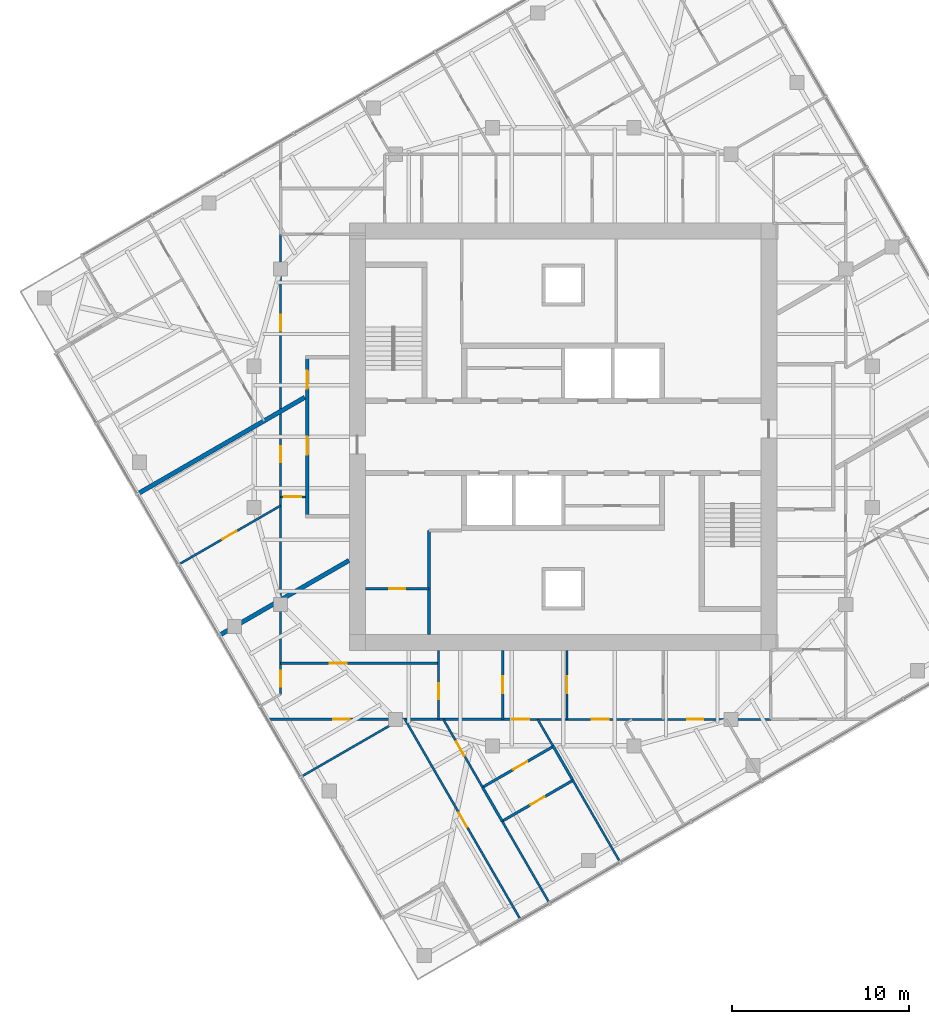
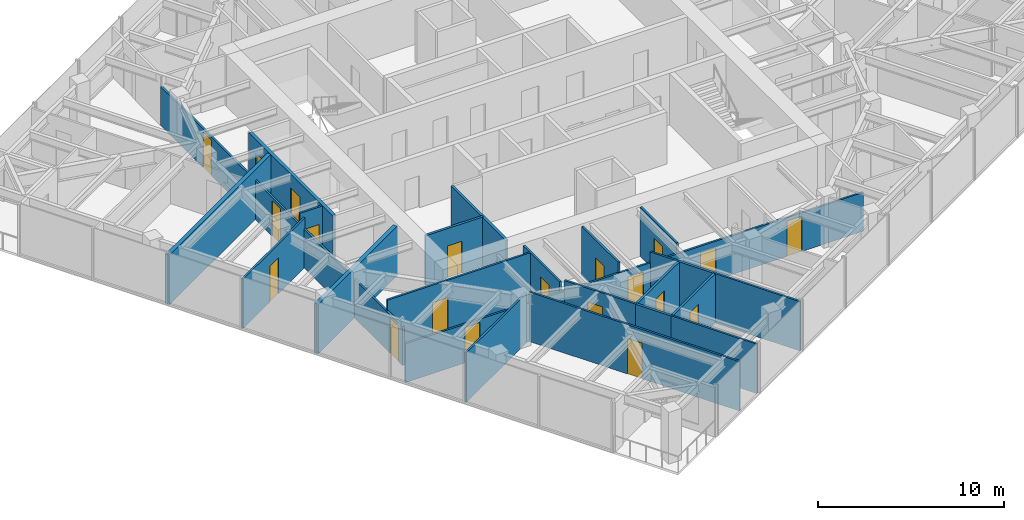
# One storey, part 7 of 12: 23 walls, 20 doors, 20 openings.
"""IFC4 building model written with IfcOpenShell, lengths in metres."""

from ifc_helpers import new_model, si_unit, direction, frame, frame_2d, origin, place, context, subcontext, project, spatial, rectangle, extrude, material, layer, layer_set, type_object, element, fill, save


model = new_model("IFC4")

# Units and contexts
model_context = context("Model", 3, precision=1e-05, world=origin(), true_north=direction((0.0, 1.0)))
body_context = subcontext(model_context, "Body", "Model", "MODEL_VIEW")
ifc_project = project(units=[si_unit("LENGTHUNIT", "METRE"), si_unit("AREAUNIT", "SQUARE_METRE"), si_unit("VOLUMEUNIT", "CUBIC_METRE"), si_unit("PLANEANGLEUNIT", "RADIAN"), si_unit("MASSUNIT", "GRAM", prefix="KILO")], contexts=[model_context])

# Site, building, storey
site_placement = place(None, origin())
site = spatial("IfcSite", under=ifc_project, at=site_placement, CompositionType="ELEMENT")
building_placement = place(site_placement, origin())
building = spatial("IfcBuilding", under=site, at=building_placement, Name="Torsade Residences", CompositionType="ELEMENT")
storey_placement = place(building_placement, frame((0.0, 0.0, 218.39990234375)))
storey = spatial("IfcBuildingStorey", under=building, at=storey_placement, Name="L60", CompositionType="ELEMENT", Elevation=218.39990234375)

# Wall, openings, doors
ifc_material_1 = material(Name="Plasterboard on steel stud", Category="steel")
ifc_layer_1 = layer(ifc_material_1, 0.199951171875)
ifc_layer_set_1 = layer_set([ifc_layer_1], Name="Plasterboard on steel stud")
wall_type_1 = type_object("IfcWallType", Name="CORRIDOR WALL 200", PredefinedType="PARTITIONING", material=ifc_layer_set_1)
wall_1_placement = place(storey_placement, frame((25.5, 25.5, 0.0), z_axis=(0.0, 0.0, 1.0), x_axis=(0.0, 1.0, 0.0)))
wall_1 = element("IfcWall", 1, at=wall_1_placement, inside=storey, type_object=wall_type_1, Name="Corridor wall L60", PredefinedType="PARTITIONING", context=body_context, shape_type="SweptSolid", body=[
    extrude(rectangle(XDim=9.0, YDim=0.199951171875, at=frame_2d((4.5, 0.0))), origin(), (0.0, 0.0, 1.0), 3.25),
])
opening_1_placement = place(wall_1_placement, frame((3.4921875, 0.0, 0.0)))
opening_1 = element("IfcOpeningElement", 2, at=opening_1_placement, cuts=wall_1, Name="Opening D01", PredefinedType="OPENING", context=body_context, shape_type="SweptSolid", body=[
    extrude(rectangle(XDim=1.02001953125, YDim=2.340087890625, at=frame_2d((0.510009765625, 1.169921875))), frame((0.0, 0.10986328125, 0.0), z_axis=(0.0, -1.0, 0.0), x_axis=(1.0, 0.0, 0.0)), (0.0, 0.0, 1.0), 0.219970703125),
])
opening_2_placement = place(wall_1_placement, frame((7.229248046875, 0.0, 0.0)))
opening_2 = element("IfcOpeningElement", 3, at=opening_2_placement, cuts=wall_1, Name="Opening D01", PredefinedType="OPENING", context=body_context, shape_type="SweptSolid", body=[
    extrude(rectangle(XDim=1.02001953125, YDim=2.340087890625, at=frame_2d((0.510009765625, 1.169921875))), frame((0.0, 0.10986328125, 0.0), z_axis=(0.0, -1.0, 0.0), x_axis=(1.0, 0.0, 0.0)), (0.0, 0.0, 1.0), 0.219970703125),
])
ifc_material_2 = material(Name="Solid-core timber fire door", Category="wood")
door_type_1 = type_object("IfcDoorType", Name="APARTMENT ENTRY DOOR 1020x2340", OperationType="NOTDEFINED", PredefinedType="DOOR", material=ifc_material_2)
door_1_placement = place(opening_1_placement, origin())
door_1 = element("IfcDoor", 4, at=door_1_placement, inside=storey, type_object=door_type_1, Name="Door Residential corridor to Kitchen and dining", OperationType="SINGLE_SWING_RIGHT", OverallHeight=2.340087890625, OverallWidth=1.02001953125, PredefinedType="DOOR", context=body_context, shape_type="SweptSolid", body=[
    extrude(rectangle(XDim=1.02001953125, YDim=2.340087890625, at=frame_2d((0.510009765625, 1.169921875))), frame((0.0, 0.02490234375, 0.0), z_axis=(0.0, -1.0, 0.0), x_axis=(1.0, 0.0, 0.0)), (0.0, 0.0, 1.0), 0.050048828125),
])
fill(opening_1, door_1)
door_2_placement = place(opening_2_placement, origin())
door_2 = element("IfcDoor", 5, at=door_2_placement, inside=storey, type_object=door_type_1, Name="Door Residential corridor to Kitchen and dining", OperationType="SINGLE_SWING_LEFT", OverallHeight=2.340087890625, OverallWidth=1.02001953125, PredefinedType="DOOR", context=body_context, shape_type="SweptSolid", body=[
    extrude(rectangle(XDim=1.02001953125, YDim=2.340087890625, at=frame_2d((0.510009765625, 1.169921875))), frame((0.0, 0.02490234375, 0.0), z_axis=(0.0, -1.0, 0.0), x_axis=(1.0, 0.0, 0.0)), (0.0, 0.0, 1.0), 0.050048828125),
])
fill(opening_2, door_2)

# Wall, opening, door
ifc_material_3 = material(Name="Plasterboard on steel stud", Category="steel")
ifc_layer_2 = layer(ifc_material_3, 0.1201171875)
ifc_layer_set_2 = layer_set([ifc_layer_2], Name="Plasterboard on steel stud")
wall_type_2 = type_object("IfcWallType", Name="PARTITION 120", PredefinedType="PARTITIONING", material=ifc_layer_set_2)
wall_2_placement = place(storey_placement, frame((25.39990234375, 26.598388671875, 0.0), z_axis=(0.0, 0.0, 1.0), x_axis=(-1.0, 0.0, 0.0)))
wall_2 = element("IfcWall", 6, at=wall_2_placement, inside=storey, type_object=wall_type_2, Name="Partition L60", PredefinedType="PARTITIONING", context=body_context, shape_type="SweptSolid", body=[
    extrude(rectangle(XDim=1.39990234375, YDim=0.1201171875, at=frame_2d((0.699951171875, 0.0))), origin(), (0.0, 0.0, 1.0), 3.25),
])
opening_3_placement = place(wall_2_placement, frame((0.219970703125, 0.0, 0.0)))
opening_3 = element("IfcOpeningElement", 7, at=opening_3_placement, cuts=wall_2, Name="Opening D05", PredefinedType="OPENING", context=body_context, shape_type="SweptSolid", body=[
    extrude(rectangle(XDim=0.9599609375, YDim=2.10009765625, at=frame_2d((0.47998046875, 1.050048828125))), frame((0.0, 0.070068359375, 0.0), z_axis=(0.0, -1.0, 0.0), x_axis=(1.0, 0.0, 0.0)), (0.0, 0.0, 1.0), 0.14013671875),
])
ifc_material_4 = material(Name="Hollow-core timber door in a steel cavity frame", Category="steel")
door_type_2 = type_object("IfcDoorType", Name="BATHROOM CAVITY SLIDING DOOR 960", OperationType="SLIDING_TO_LEFT", PredefinedType="DOOR", material=ifc_material_4)
door_3_placement = place(opening_3_placement, origin())
door_3 = element("IfcDoor", 8, at=door_3_placement, inside=storey, type_object=door_type_2, Name="Door Kitchen and dining to Bathroom", OperationType="SLIDING_TO_LEFT", OverallHeight=2.10009765625, OverallWidth=0.9599609375, PredefinedType="DOOR", context=body_context, shape_type="SweptSolid", body=[
    extrude(rectangle(XDim=0.9599609375, YDim=2.10009765625, at=frame_2d((0.47998046875, 1.050048828125))), frame((0.0, 0.02490234375, 0.0), z_axis=(0.0, -1.0, 0.0), x_axis=(1.0, 0.0, 0.0)), (0.0, 0.0, 1.0), 0.050048828125),
])
fill(opening_3, door_3)

# Wall, openings, doors
wall_3_placement = place(storey_placement, frame((24.0, 15.421875, 0.0), z_axis=(0.0, 0.0, 1.0), x_axis=(0.0, 1.0, 0.0)))
wall_3 = element("IfcWall", 9, at=wall_3_placement, inside=storey, type_object=wall_type_2, Name="Partition L60", PredefinedType="PARTITIONING", context=body_context, shape_type="SweptSolid", body=[
    extrude(rectangle(XDim=26.044677734375, YDim=0.1201171875, at=frame_2d((13.0224609375, 0.0))), origin(), (0.0, 0.0, 1.0), 2.550048828125),
])
opening_4_placement = place(wall_3_placement, frame((13.138916015625, 0.0, 0.0)))
opening_4 = element("IfcOpeningElement", 10, at=opening_4_placement, cuts=wall_3, Name="Opening D02", PredefinedType="OPENING", context=body_context, shape_type="SweptSolid", body=[
    extrude(rectangle(XDim=0.919921875, YDim=2.340087890625, at=frame_2d((0.4599609375, 1.169921875))), frame((0.0, 0.070068359375, 0.0), z_axis=(0.0, -1.0, 0.0), x_axis=(1.0, 0.0, 0.0)), (0.0, 0.0, 1.0), 0.14013671875),
])
opening_5_placement = place(wall_3_placement, frame((20.572998046875, 0.0, 0.0)))
opening_5 = element("IfcOpeningElement", 11, at=opening_5_placement, cuts=wall_3, Name="Opening D02", PredefinedType="OPENING", context=body_context, shape_type="SweptSolid", body=[
    extrude(rectangle(XDim=0.919921875, YDim=2.340087890625, at=frame_2d((0.4599609375, 1.169921875))), frame((0.0, 0.070068359375, 0.0), z_axis=(0.0, -1.0, 0.0), x_axis=(1.0, 0.0, 0.0)), (0.0, 0.0, 1.0), 0.14013671875),
])
opening_6_placement = place(wall_3_placement, frame((0.42041015625, 0.0, 0.0)))
opening_6 = element("IfcOpeningElement", 12, at=opening_6_placement, cuts=wall_3, Name="Opening D02", PredefinedType="OPENING", context=body_context, shape_type="SweptSolid", body=[
    extrude(rectangle(XDim=0.919921875, YDim=2.340087890625, at=frame_2d((0.4599609375, 1.169921875))), frame((0.0, 0.070068359375, 0.0), z_axis=(0.0, -1.0, 0.0), x_axis=(1.0, 0.0, 0.0)), (0.0, 0.0, 1.0), 0.14013671875),
])
ifc_material_5 = material(Name="Hollow-core timber door", Category="wood")
door_type_3 = type_object("IfcDoorType", Name="INTERNAL DOOR 920x2340", OperationType="NOTDEFINED", PredefinedType="DOOR", material=ifc_material_5)
door_4_placement = place(opening_4_placement, origin())
door_4 = element("IfcDoor", 13, at=door_4_placement, inside=storey, type_object=door_type_3, Name="Door Kitchen and dining to Living room", OperationType="SINGLE_SWING_RIGHT", OverallHeight=2.340087890625, OverallWidth=0.919921875, PredefinedType="DOOR", context=body_context, shape_type="SweptSolid", body=[
    extrude(rectangle(XDim=0.919921875, YDim=2.340087890625, at=frame_2d((0.4599609375, 1.169921875))), frame((0.0, 0.02490234375, 0.0), z_axis=(0.0, -1.0, 0.0), x_axis=(1.0, 0.0, 0.0)), (0.0, 0.0, 1.0), 0.050048828125),
])
fill(opening_4, door_4)
door_5_placement = place(opening_5_placement, origin())
door_5 = element("IfcDoor", 14, at=door_5_placement, inside=storey, type_object=door_type_3, Name="Door Kitchen and dining to Living room", OperationType="SINGLE_SWING_RIGHT", OverallHeight=2.340087890625, OverallWidth=0.919921875, PredefinedType="DOOR", context=body_context, shape_type="SweptSolid", body=[
    extrude(rectangle(XDim=0.919921875, YDim=2.340087890625, at=frame_2d((0.4599609375, 1.169921875))), frame((0.0, 0.02490234375, 0.0), z_axis=(0.0, -1.0, 0.0), x_axis=(1.0, 0.0, 0.0)), (0.0, 0.0, 1.0), 0.050048828125),
])
fill(opening_5, door_5)
door_6_placement = place(opening_6_placement, origin())
door_6 = element("IfcDoor", 15, at=door_6_placement, inside=storey, type_object=door_type_3, Name="Door Dressing room to Study 3", OperationType="SINGLE_SWING_LEFT", OverallHeight=2.340087890625, OverallWidth=0.919921875, PredefinedType="DOOR", context=body_context, shape_type="SweptSolid", body=[
    extrude(rectangle(XDim=0.919921875, YDim=2.340087890625, at=frame_2d((0.4599609375, 1.169921875))), frame((0.0, 0.02490234375, 0.0), z_axis=(0.0, -1.0, 0.0), x_axis=(1.0, 0.0, 0.0)), (0.0, 0.0, 1.0), 0.050048828125),
])
fill(opening_6, door_6)

# Wall, opening, door
wall_4_placement = place(storey_placement, frame((24.0, 26.10302734375, 0.0), z_axis=(0.0, 0.0, 1.0), x_axis=(-0.866017585169, -0.500013541994, 0.0)))
wall_4 = element("IfcWall", 16, at=wall_4_placement, inside=storey, type_object=wall_type_2, Name="Partition L60", PredefinedType="PARTITIONING", context=body_context, shape_type="SweptSolid", body=[
    extrude(rectangle(XDim=6.655029296875, YDim=0.1201171875, at=frame_2d((3.32763671875, 0.0))), origin(), (0.0, 0.0, 1.0), 3.25),
])
opening_7_placement = place(wall_4_placement, frame((2.887451171875, 0.0, 0.0)))
opening_7 = element("IfcOpeningElement", 17, at=opening_7_placement, cuts=wall_4, Name="Opening D02", PredefinedType="OPENING", context=body_context, shape_type="SweptSolid", body=[
    extrude(rectangle(XDim=0.919921875, YDim=2.340087890625, at=frame_2d((0.4599609375, 1.169921875))), frame((0.0, 0.070068359375, 0.0), z_axis=(0.0, -1.0, 0.0), x_axis=(1.0, 0.0, 0.0)), (0.0, 0.0, 1.0), 0.14013671875),
])
door_7_placement = place(opening_7_placement, origin())
door_7 = element("IfcDoor", 18, at=door_7_placement, inside=storey, type_object=door_type_3, Name="Door Living room to Bedroom 1", OperationType="SINGLE_SWING_LEFT", OverallHeight=2.340087890625, OverallWidth=0.919921875, PredefinedType="DOOR", context=body_context, shape_type="SweptSolid", body=[
    extrude(rectangle(XDim=0.919921875, YDim=2.340087890625, at=frame_2d((0.4599609375, 1.169921875))), frame((0.0, 0.02490234375, 0.0), z_axis=(0.0, -1.0, 0.0), x_axis=(1.0, 0.0, 0.0)), (0.0, 0.0, 1.0), 0.050048828125),
])
fill(opening_7, door_7)

wall_5_placement = place(storey_placement, frame((32.944091796875, 17.1826171875, 0.0), z_axis=(0.0, 0.0, 1.0), x_axis=(-1.0, 0.0, 0.0)))
wall_5 = element("IfcWall", 19, at=wall_5_placement, inside=storey, type_object=wall_type_2, Name="Partition L60", PredefinedType="PARTITIONING", context=body_context, shape_type="SweptSolid", body=[
    extrude(rectangle(XDim=8.944091796875, YDim=0.1201171875, at=frame_2d((4.47216796875, 0.0))), origin(), (0.0, 0.0, 1.0), 3.25),
])
opening_8_placement = place(wall_5_placement, frame((5.192138671875, 0.0, 0.0)))
opening_8 = element("IfcOpeningElement", 20, at=opening_8_placement, cuts=wall_5, Name="Opening D05", PredefinedType="OPENING", context=body_context, shape_type="SweptSolid", body=[
    extrude(rectangle(XDim=0.9599609375, YDim=2.10009765625, at=frame_2d((0.47998046875, 1.050048828125))), frame((0.0, 0.070068359375, 0.0), z_axis=(0.0, -1.0, 0.0), x_axis=(1.0, 0.0, 0.0)), (0.0, 0.0, 1.0), 0.14013671875),
])
door_8_placement = place(opening_8_placement, origin())
door_8 = element("IfcDoor", 21, at=door_8_placement, inside=storey, type_object=door_type_2, Name="Door Dressing room to Bathroom", OperationType="SLIDING_TO_LEFT", OverallHeight=2.10009765625, OverallWidth=0.9599609375, PredefinedType="DOOR", context=body_context, shape_type="SweptSolid", body=[
    extrude(rectangle(XDim=0.9599609375, YDim=2.10009765625, at=frame_2d((0.47998046875, 1.050048828125))), frame((0.0, 0.02490234375, 0.0), z_axis=(0.0, -1.0, 0.0), x_axis=(1.0, 0.0, 0.0)), (0.0, 0.0, 1.0), 0.050048828125),
])
fill(opening_8, door_8)

wall_6_placement = place(storey_placement, frame((32.944091796875, 17.89990234375, 0.0), z_axis=(0.0, 0.0, 1.0), x_axis=(0.0, -1.0, 0.0)))
wall_6 = element("IfcWall", 22, at=wall_6_placement, inside=storey, type_object=wall_type_2, Name="Partition L60", PredefinedType="PARTITIONING", context=body_context, shape_type="SweptSolid", body=[
    extrude(rectangle(XDim=3.89990234375, YDim=0.1201171875, at=frame_2d((1.949951171875, 0.0))), origin(), (0.0, 0.0, 1.0), 3.25),
])
opening_9_placement = place(wall_6_placement, frame((1.8486328125, 0.0, 0.0)))
opening_9 = element("IfcOpeningElement", 23, at=opening_9_placement, cuts=wall_6, Name="Opening D02", PredefinedType="OPENING", context=body_context, shape_type="SweptSolid", body=[
    extrude(rectangle(XDim=0.919921875, YDim=2.340087890625, at=frame_2d((0.4599609375, 1.169921875))), frame((0.0, 0.070068359375, 0.0), z_axis=(0.0, -1.0, 0.0), x_axis=(1.0, 0.0, 0.0)), (0.0, 0.0, 1.0), 0.14013671875),
])
door_9_placement = place(opening_9_placement, origin())
door_9 = element("IfcDoor", 24, at=door_9_placement, inside=storey, type_object=door_type_3, Name="Door Dressing room 2 to Dressing room", OperationType="SINGLE_SWING_RIGHT", OverallHeight=2.340087890625, OverallWidth=0.919921875, PredefinedType="DOOR", context=body_context, shape_type="SweptSolid", body=[
    extrude(rectangle(XDim=0.919921875, YDim=2.340087890625, at=frame_2d((0.4599609375, 1.169921875))), frame((0.0, 0.02490234375, 0.0), z_axis=(0.0, -1.0, 0.0), x_axis=(1.0, 0.0, 0.0)), (0.0, 0.0, 1.0), 0.050048828125),
])
fill(opening_9, door_9)

# Wall, openings, doors
wall_7_placement = place(storey_placement, frame((51.757080078125, 14.0, 0.0), z_axis=(0.0, 0.0, 1.0), x_axis=(-0.999999938148, 0.000351716958, 0.0)))
wall_7 = element("IfcWall", 25, at=wall_7_placement, inside=storey, type_object=wall_type_2, Name="Partition L60", PredefinedType="PARTITIONING", context=body_context, shape_type="SweptSolid", body=[
    extrude(rectangle(XDim=28.459716796875, YDim=0.1201171875, at=frame_2d((14.22998046875, 0.0))), origin(), (0.0, 0.0, 1.0), 2.550048828125),
])
opening_10_placement = place(wall_7_placement, frame((3.81982421875, 0.0, 0.0)))
opening_10 = element("IfcOpeningElement", 26, at=opening_10_placement, cuts=wall_7, Name="Opening D02", PredefinedType="OPENING", context=body_context, shape_type="SweptSolid", body=[
    extrude(rectangle(XDim=0.919921875, YDim=2.340087890625, at=frame_2d((0.4599609375, 1.169921875))), frame((0.0, 0.070068359375, 0.0), z_axis=(0.0, -1.0, 0.0), x_axis=(1.0, 0.0, 0.0)), (0.0, 0.0, 1.0), 0.14013671875),
])
opening_11_placement = place(wall_7_placement, frame((9.170166015625, 0.0, 0.0)))
opening_11 = element("IfcOpeningElement", 27, at=opening_11_placement, cuts=wall_7, Name="Opening D05", PredefinedType="OPENING", context=body_context, shape_type="SweptSolid", body=[
    extrude(rectangle(XDim=0.9599609375, YDim=2.10009765625, at=frame_2d((0.47998046875, 1.050048828125))), frame((0.0, 0.070068359375, 0.0), z_axis=(0.0, -1.0, 0.0), x_axis=(1.0, 0.0, 0.0)), (0.0, 0.0, 1.0), 0.14013671875),
])
opening_12_placement = place(wall_7_placement, frame((13.6796875, 0.0, 0.0)))
opening_12 = element("IfcOpeningElement", 28, at=opening_12_placement, cuts=wall_7, Name="Opening D05", PredefinedType="OPENING", context=body_context, shape_type="SweptSolid", body=[
    extrude(rectangle(XDim=0.9599609375, YDim=2.10009765625, at=frame_2d((0.47998046875, 1.050048828125))), frame((0.0, 0.070068359375, 0.0), z_axis=(0.0, -1.0, 0.0), x_axis=(1.0, 0.0, 0.0)), (0.0, 0.0, 1.0), 0.14013671875),
])
opening_13_placement = place(wall_7_placement, frame((23.853515625, 0.0, 0.0)))
opening_13 = element("IfcOpeningElement", 29, at=opening_13_placement, cuts=wall_7, Name="Opening D02", PredefinedType="OPENING", context=body_context, shape_type="SweptSolid", body=[
    extrude(rectangle(XDim=0.919921875, YDim=2.340087890625, at=frame_2d((0.4599609375, 1.169921875))), frame((0.0, 0.070068359375, 0.0), z_axis=(0.0, -1.0, 0.0), x_axis=(1.0, 0.0, 0.0)), (0.0, 0.0, 1.0), 0.14013671875),
])
door_10_placement = place(opening_11_placement, origin())
door_10 = element("IfcDoor", 30, at=door_10_placement, inside=storey, type_object=door_type_2, Name="Door Laundry to Bedroom 3", OperationType="SLIDING_TO_LEFT", OverallHeight=2.10009765625, OverallWidth=0.9599609375, PredefinedType="DOOR", context=body_context, shape_type="SweptSolid", body=[
    extrude(rectangle(XDim=0.9599609375, YDim=2.10009765625, at=frame_2d((0.47998046875, 1.050048828125))), frame((0.0, 0.02490234375, 0.0), z_axis=(0.0, -1.0, 0.0), x_axis=(1.0, 0.0, 0.0)), (0.0, 0.0, 1.0), 0.050048828125),
])
fill(opening_11, door_10)
door_11_placement = place(opening_12_placement, origin())
door_11 = element("IfcDoor", 31, at=door_11_placement, inside=storey, type_object=door_type_2, Name="Door Ensuite to Walk-in robe 2", OperationType="SLIDING_TO_LEFT", OverallHeight=2.10009765625, OverallWidth=0.9599609375, PredefinedType="DOOR", context=body_context, shape_type="SweptSolid", body=[
    extrude(rectangle(XDim=0.9599609375, YDim=2.10009765625, at=frame_2d((0.47998046875, 1.050048828125))), frame((0.0, 0.02490234375, 0.0), z_axis=(0.0, -1.0, 0.0), x_axis=(1.0, 0.0, 0.0)), (0.0, 0.0, 1.0), 0.050048828125),
])
fill(opening_12, door_11)
door_12_placement = place(opening_10_placement, origin())
door_12 = element("IfcDoor", 32, at=door_12_placement, inside=storey, type_object=door_type_3, Name="Door Walk-in robe to Media room", OperationType="SINGLE_SWING_LEFT", OverallHeight=2.340087890625, OverallWidth=0.919921875, PredefinedType="DOOR", context=body_context, shape_type="SweptSolid", body=[
    extrude(rectangle(XDim=0.919921875, YDim=2.340087890625, at=frame_2d((0.4599609375, 1.169921875))), frame((0.0, 0.02490234375, 0.0), z_axis=(0.0, -1.0, 0.0), x_axis=(1.0, 0.0, 0.0)), (0.0, 0.0, 1.0), 0.050048828125),
])
fill(opening_10, door_12)
door_13_placement = place(opening_13_placement, origin())
door_13 = element("IfcDoor", 33, at=door_13_placement, inside=storey, type_object=door_type_3, Name="Door Dressing room to Dining room 2", OperationType="SINGLE_SWING_LEFT", OverallHeight=2.340087890625, OverallWidth=0.919921875, PredefinedType="DOOR", context=body_context, shape_type="SweptSolid", body=[
    extrude(rectangle(XDim=0.919921875, YDim=2.340087890625, at=frame_2d((0.4599609375, 1.169921875))), frame((0.0, 0.02490234375, 0.0), z_axis=(0.0, -1.0, 0.0), x_axis=(1.0, 0.0, 0.0)), (0.0, 0.0, 1.0), 0.050048828125),
])
fill(opening_13, door_13)

# Wall, opening, door
wall_8_placement = place(storey_placement, frame((36.58056640625, 14.0, 0.0), z_axis=(0.0, 0.0, 1.0), x_axis=(0.0, 1.0, 0.0)))
wall_8 = element("IfcWall", 34, at=wall_8_placement, inside=storey, type_object=wall_type_2, Name="Partition L60", PredefinedType="PARTITIONING", context=body_context, shape_type="SweptSolid", body=[
    extrude(rectangle(XDim=3.89990234375, YDim=0.1201171875, at=frame_2d((1.949951171875, 0.0))), origin(), (0.0, 0.0, 1.0), 3.25),
])
opening_14_placement = place(wall_8_placement, frame((1.469970703125, 0.0, 0.0)))
opening_14 = element("IfcOpeningElement", 35, at=opening_14_placement, cuts=wall_8, Name="Opening D05", PredefinedType="OPENING", context=body_context, shape_type="SweptSolid", body=[
    extrude(rectangle(XDim=0.9599609375, YDim=2.10009765625, at=frame_2d((0.47998046875, 1.050048828125))), frame((0.0, 0.070068359375, 0.0), z_axis=(0.0, -1.0, 0.0), x_axis=(1.0, 0.0, 0.0)), (0.0, 0.0, 1.0), 0.14013671875),
])
door_14_placement = place(opening_14_placement, origin())
door_14 = element("IfcDoor", 36, at=door_14_placement, inside=storey, type_object=door_type_2, Name="Door Ensuite to Dressing room 2", OperationType="SLIDING_TO_LEFT", OverallHeight=2.10009765625, OverallWidth=0.9599609375, PredefinedType="DOOR", context=body_context, shape_type="SweptSolid", body=[
    extrude(rectangle(XDim=0.9599609375, YDim=2.10009765625, at=frame_2d((0.47998046875, 1.050048828125))), frame((0.0, 0.02490234375, 0.0), z_axis=(0.0, -1.0, 0.0), x_axis=(1.0, 0.0, 0.0)), (0.0, 0.0, 1.0), 0.050048828125),
])
fill(opening_14, door_14)

wall_9_placement = place(storey_placement, frame((40.217041015625, 17.89990234375, 0.0), z_axis=(0.0, 0.0, 1.0), x_axis=(0.0, -1.0, 0.0)))
wall_9 = element("IfcWall", 37, at=wall_9_placement, inside=storey, type_object=wall_type_2, Name="Partition L60", PredefinedType="PARTITIONING", context=body_context, shape_type="SweptSolid", body=[
    extrude(rectangle(XDim=3.89990234375, YDim=0.1201171875, at=frame_2d((1.949951171875, 0.0))), origin(), (0.0, 0.0, 1.0), 3.25),
])
opening_15_placement = place(wall_9_placement, frame((1.469970703125, 0.0, 0.0)))
opening_15 = element("IfcOpeningElement", 38, at=opening_15_placement, cuts=wall_9, Name="Opening D05", PredefinedType="OPENING", context=body_context, shape_type="SweptSolid", body=[
    extrude(rectangle(XDim=0.9599609375, YDim=2.10009765625, at=frame_2d((0.47998046875, 1.050048828125))), frame((0.0, 0.070068359375, 0.0), z_axis=(0.0, -1.0, 0.0), x_axis=(1.0, 0.0, 0.0)), (0.0, 0.0, 1.0), 0.14013671875),
])
door_15_placement = place(opening_15_placement, origin())
door_15 = element("IfcDoor", 39, at=door_15_placement, inside=storey, type_object=door_type_2, Name="Door Laundry to Ensuite", OperationType="SLIDING_TO_LEFT", OverallHeight=2.10009765625, OverallWidth=0.9599609375, PredefinedType="DOOR", context=body_context, shape_type="SweptSolid", body=[
    extrude(rectangle(XDim=0.9599609375, YDim=2.10009765625, at=frame_2d((0.47998046875, 1.050048828125))), frame((0.0, 0.02490234375, 0.0), z_axis=(0.0, -1.0, 0.0), x_axis=(1.0, 0.0, 0.0)), (0.0, 0.0, 1.0), 0.050048828125),
])
fill(opening_15, door_15)

wall_10_placement = place(storey_placement, frame((31.03857421875, 14.0, 0.0), z_axis=(0.0, 0.0, 1.0), x_axis=(0.500006184843, -0.866021832934, 0.0)))
wall_10 = element("IfcWall", 40, at=wall_10_placement, inside=storey, type_object=wall_type_2, Name="Partition L60", PredefinedType="PARTITIONING", context=body_context, shape_type="SweptSolid", body=[
    extrude(rectangle(XDim=13.084228515625, YDim=0.1201171875, at=frame_2d((6.5419921875, 0.0))), origin(), (0.0, 0.0, 1.0), 3.25),
])
opening_16_placement = place(wall_10_placement, frame((6.10205078125, 0.0, 0.0)))
opening_16 = element("IfcOpeningElement", 41, at=opening_16_placement, cuts=wall_10, Name="Opening D02", PredefinedType="OPENING", context=body_context, shape_type="SweptSolid", body=[
    extrude(rectangle(XDim=0.919921875, YDim=2.340087890625, at=frame_2d((0.4599609375, 1.169921875))), frame((0.0, 0.070068359375, 0.0), z_axis=(0.0, -1.0, 0.0), x_axis=(1.0, 0.0, 0.0)), (0.0, 0.0, 1.0), 0.14013671875),
])
door_16_placement = place(opening_16_placement, origin())
door_16 = element("IfcDoor", 42, at=door_16_placement, inside=storey, type_object=door_type_3, Name="Door Walk-in robe 3 to Living room", OperationType="SINGLE_SWING_LEFT", OverallHeight=2.340087890625, OverallWidth=0.919921875, PredefinedType="DOOR", context=body_context, shape_type="SweptSolid", body=[
    extrude(rectangle(XDim=0.919921875, YDim=2.340087890625, at=frame_2d((0.4599609375, 1.169921875))), frame((0.0, 0.02490234375, 0.0), z_axis=(0.0, -1.0, 0.0), x_axis=(1.0, 0.0, 0.0)), (0.0, 0.0, 1.0), 0.050048828125),
])
fill(opening_16, door_16)

# Walls
wall_11_placement = place(storey_placement, frame((25.174072265625, 10.75927734375, 0.0), z_axis=(0.0, 0.0, 1.0), x_axis=(0.866023120914, 0.500003954026, 0.0)))
element("IfcWall", 43, at=wall_11_placement, inside=storey, type_object=wall_type_2, Name="Partition L60", PredefinedType="PARTITIONING", context=body_context, shape_type="SweptSolid", body=[
    extrude(rectangle(XDim=6.4814453125, YDim=0.1201171875, at=frame_2d((3.24072265625, 0.0))), origin(), (0.0, 0.0, 1.0), 3.25),
])
wall_12_placement = place(storey_placement, frame((43.21923828125, 5.924072265625, 0.0), z_axis=(0.0, 0.0, 1.0), x_axis=(-0.500003544594, 0.866023357302, 0.0)))
element("IfcWall", 44, at=wall_12_placement, inside=storey, type_object=wall_type_2, Name="Partition L60", PredefinedType="PARTITIONING", context=body_context, shape_type="SweptSolid", body=[
    extrude(rectangle(XDim=5.38818359375, YDim=0.1201171875, at=frame_2d((2.694091796875, 0.0))), origin(), (0.0, 0.0, 1.0), 3.25),
])
wall_13_placement = place(storey_placement, frame((39.415771484375, 12.511962890625, 0.0), z_axis=(0.0, 0.0, 1.0), x_axis=(-0.500005339912, 0.866022320763, 0.0)))
element("IfcWall", 45, at=wall_13_placement, inside=storey, type_object=wall_type_2, Name="Partition L60", PredefinedType="PARTITIONING", context=body_context, shape_type="SweptSolid", body=[
    extrude(rectangle(XDim=1.71826171875, YDim=0.1201171875, at=frame_2d((0.859130859375, 0.0))), origin(), (0.0, 0.0, 1.0), 3.25),
])
wall_14_placement = place(storey_placement, frame((39.2138671875, 3.611572265625, 0.0), z_axis=(0.0, 0.0, 1.0), x_axis=(-0.499995631649, 0.866027925839, 0.0)))
element("IfcWall", 46, at=wall_14_placement, inside=storey, type_object=wall_type_2, Name="Partition L60", PredefinedType="PARTITIONING", context=body_context, shape_type="SweptSolid", body=[
    extrude(rectangle(XDim=5.337890625, YDim=0.1201171875, at=frame_2d((2.6689453125, 0.0))), origin(), (0.0, 0.0, 1.0), 3.25),
])

# Wall, opening, door
wall_15_placement = place(storey_placement, frame((35.435302734375, 10.15625, 0.0), z_axis=(0.0, 0.0, 1.0), x_axis=(-0.499966886051, 0.866044521288, 0.0)))
wall_15 = element("IfcWall", 47, at=wall_15_placement, inside=storey, type_object=wall_type_2, Name="Partition L60", PredefinedType="PARTITIONING", context=body_context, shape_type="SweptSolid", body=[
    extrude(rectangle(XDim=4.438232421875, YDim=0.1201171875, at=frame_2d((2.21923828125, 0.0))), origin(), (0.0, 0.0, 1.0), 3.25),
])
opening_17_placement = place(wall_15_placement, frame((2.05908203125, 0.0, 0.0)))
opening_17 = element("IfcOpeningElement", 48, at=opening_17_placement, cuts=wall_15, Name="Opening D02", PredefinedType="OPENING", context=body_context, shape_type="SweptSolid", body=[
    extrude(rectangle(XDim=0.919921875, YDim=2.340087890625, at=frame_2d((0.4599609375, 1.169921875))), frame((0.0, 0.070068359375, 0.0), z_axis=(0.0, -1.0, 0.0), x_axis=(1.0, 0.0, 0.0)), (0.0, 0.0, 1.0), 0.14013671875),
])
door_17_placement = place(opening_17_placement, origin())
door_17 = element("IfcDoor", 49, at=door_17_placement, inside=storey, type_object=door_type_3, Name="Door Walk-in robe 2 to Walk-in robe 3", OperationType="SINGLE_SWING_RIGHT", OverallHeight=2.340087890625, OverallWidth=0.919921875, PredefinedType="DOOR", context=body_context, shape_type="SweptSolid", body=[
    extrude(rectangle(XDim=0.919921875, YDim=2.340087890625, at=frame_2d((0.4599609375, 1.169921875))), frame((0.0, 0.02490234375, 0.0), z_axis=(0.0, -1.0, 0.0), x_axis=(1.0, 0.0, 0.0)), (0.0, 0.0, 1.0), 0.050048828125),
])
fill(opening_17, door_17)

# Walls
ifc_material_6 = material(Name="Masonry-lined stud party wall", Category="masonry")
ifc_layer_3 = layer(ifc_material_6, 0.25)
ifc_layer_set_3 = layer_set([ifc_layer_3], Name="Masonry-lined stud party wall")
wall_type_3 = type_object("IfcWallType", Name="PARTY WALL 250", PredefinedType="PARTITIONING", material=ifc_layer_set_3)
wall_16_placement = place(storey_placement, frame((15.889404296875, 26.7607421875, 0.0), z_axis=(0.0, 0.0, 1.0), x_axis=(0.866024069551, 0.500002310952, 0.0)))
element("IfcWall", 50, at=wall_16_placement, inside=storey, type_object=wall_type_3, Name="Party wall L60", PredefinedType="PARTITIONING", context=body_context, shape_type="SweptSolid", body=[
    extrude(rectangle(XDim=10.94970703125, YDim=0.25, at=frame_2d((5.474853515625, 0.0))), origin(), (0.0, 0.0, 1.0), 3.25),
])
wall_17_placement = place(storey_placement, frame((20.514404296875, 18.75, 0.0), z_axis=(0.0, 0.0, 1.0), x_axis=(0.866020489494, 0.500008511703, 0.0)))
element("IfcWall", 51, at=wall_17_placement, inside=storey, type_object=wall_type_3, Name="Party wall L60", PredefinedType="PARTITIONING", context=body_context, shape_type="SweptSolid", body=[
    extrude(rectangle(XDim=8.495849609375, YDim=0.25, at=frame_2d((4.248046875, 0.0))), origin(), (0.0, 0.0, 1.0), 3.25),
])
ifc_material_7 = material(Name="Reinforced blockwork", Category="masonry")
ifc_layer_4 = layer(ifc_material_7, 0.14990234375)
ifc_layer_set_4 = layer_set([ifc_layer_4], Name="Reinforced blockwork")
wall_type_4 = type_object("IfcWallType", Name="SERVICE ROOM WALL 150", PredefinedType="SOLIDWALL", material=ifc_layer_set_4)
wall_18_placement = place(storey_placement, frame((32.39990234375, 18.800048828125, 0.0), z_axis=(0.0, 0.0, 1.0), x_axis=(0.0, 1.0, 0.0)))
element("IfcWall", 52, at=wall_18_placement, inside=storey, type_object=wall_type_4, Name="Service room wall L60", PredefinedType="SOLIDWALL", context=body_context, shape_type="SweptSolid", body=[
    extrude(rectangle(XDim=5.89990234375, YDim=0.14990234375, at=frame_2d((2.949951171875, 0.0))), origin(), (0.0, 0.0, 1.0), 3.25),
])

# Wall, opening, door
wall_19_placement = place(storey_placement, frame((32.39990234375, 21.39990234375, 0.0), z_axis=(0.0, 0.0, 1.0), x_axis=(-1.0, 0.0, 0.0)))
wall_19 = element("IfcWall", 53, at=wall_19_placement, inside=storey, type_object=wall_type_4, Name="Service room wall L60", PredefinedType="SOLIDWALL", context=body_context, shape_type="SweptSolid", body=[
    extrude(rectangle(XDim=3.599853515625, YDim=0.14990234375, at=frame_2d((1.7998046875, 0.0))), origin(), (0.0, 0.0, 1.0), 3.25),
])
opening_18_placement = place(wall_19_placement, frame((1.340087890625, 0.0, 0.0)))
opening_18 = element("IfcOpeningElement", 54, at=opening_18_placement, cuts=wall_19, Name="Opening D06", PredefinedType="OPENING", context=body_context, shape_type="SweptSolid", body=[
    extrude(rectangle(XDim=0.919921875, YDim=2.10009765625, at=frame_2d((0.4599609375, 1.050048828125))), frame((0.0, 0.0849609375, 0.0), z_axis=(0.0, -1.0, 0.0), x_axis=(1.0, 0.0, 0.0)), (0.0, 0.0, 1.0), 0.169921875),
])
ifc_material_8 = material(Name="Steel-framed fire door", Category="steel")
door_type_4 = type_object("IfcDoorType", Name="FIRE DOOR 920", OperationType="NOTDEFINED", PredefinedType="DOOR", material=ifc_material_8)
door_18_placement = place(opening_18_placement, origin())
door_18 = element("IfcDoor", 55, at=door_18_placement, inside=storey, type_object=door_type_4, Name="Door Cleaner store to Hose reel and hydrant store", OperationType="SINGLE_SWING_LEFT", OverallHeight=2.10009765625, OverallWidth=0.919921875, PredefinedType="DOOR", context=body_context, shape_type="SweptSolid", body=[
    extrude(rectangle(XDim=0.919921875, YDim=2.10009765625, at=frame_2d((0.4599609375, 1.050048828125))), frame((0.0, 0.02490234375, 0.0), z_axis=(0.0, -1.0, 0.0), x_axis=(1.0, 0.0, 0.0)), (0.0, 0.0, 1.0), 0.050048828125),
])
fill(opening_18, door_18)

# Wall
wall_20_placement = place(storey_placement, frame((40.525146484375, 10.59033203125, 0.0), z_axis=(0.0, 0.0, 1.0), x_axis=(-0.499973265211, 0.866040838572, 0.0)))
element("IfcWall", 56, at=wall_20_placement, inside=storey, type_object=wall_type_4, Name="Service room wall L60", PredefinedType="SOLIDWALL", context=body_context, shape_type="SweptSolid", body=[
    extrude(rectangle(XDim=2.21875, YDim=0.14990234375, at=frame_2d((1.109375, 0.0))), origin(), (0.0, 0.0, 1.0), 3.25),
])

# Wall, opening, door
wall_21_placement = place(storey_placement, frame((36.544921875, 8.234375, 0.0), z_axis=(0.0, 0.0, 1.0), x_axis=(0.866025598446, 0.499999662836, 0.0)))
wall_21 = element("IfcWall", 57, at=wall_21_placement, inside=storey, type_object=wall_type_4, Name="Service room wall L60", PredefinedType="SOLIDWALL", context=body_context, shape_type="SweptSolid", body=[
    extrude(rectangle(XDim=4.625, YDim=0.14990234375, at=frame_2d((2.3125, 0.0))), origin(), (0.0, 0.0, 1.0), 3.25),
])
opening_19_placement = place(wall_21_placement, frame((1.8525390625, 0.0, 0.0)))
opening_19 = element("IfcOpeningElement", 58, at=opening_19_placement, cuts=wall_21, Name="Opening D02", PredefinedType="OPENING", context=body_context, shape_type="SweptSolid", body=[
    extrude(rectangle(XDim=0.919921875, YDim=2.340087890625, at=frame_2d((0.4599609375, 1.169921875))), frame((0.0, 0.0849609375, 0.0), z_axis=(0.0, -1.0, 0.0), x_axis=(1.0, 0.0, 0.0)), (0.0, 0.0, 1.0), 0.169921875),
])
door_19_placement = place(opening_19_placement, origin())
door_19 = element("IfcDoor", 59, at=door_19_placement, inside=storey, type_object=door_type_3, Name="Door Linen store 2 to Family room", OperationType="SINGLE_SWING_RIGHT", OverallHeight=2.340087890625, OverallWidth=0.919921875, PredefinedType="DOOR", context=body_context, shape_type="SweptSolid", body=[
    extrude(rectangle(XDim=0.919921875, YDim=2.340087890625, at=frame_2d((0.4599609375, 1.169921875))), frame((0.0, 0.02490234375, 0.0), z_axis=(0.0, -1.0, 0.0), x_axis=(1.0, 0.0, 0.0)), (0.0, 0.0, 1.0), 0.050048828125),
])
fill(opening_19, door_19)

wall_22_placement = place(storey_placement, frame((39.440673828125, 12.46875, 0.0), z_axis=(0.0, 0.0, 1.0), x_axis=(-0.866025598446, -0.499999662836, 0.0)))
wall_22 = element("IfcWall", 60, at=wall_22_placement, inside=storey, type_object=wall_type_4, Name="Service room wall L60", PredefinedType="SOLIDWALL", context=body_context, shape_type="SweptSolid", body=[
    extrude(rectangle(XDim=4.625, YDim=0.14990234375, at=frame_2d((2.3125, 0.0))), origin(), (0.0, 0.0, 1.0), 3.25),
])
opening_20_placement = place(wall_22_placement, frame((1.702392578125, 0.0, 0.0)))
opening_20 = element("IfcOpeningElement", 61, at=opening_20_placement, cuts=wall_22, Name="Opening D02", PredefinedType="OPENING", context=body_context, shape_type="SweptSolid", body=[
    extrude(rectangle(XDim=0.919921875, YDim=2.340087890625, at=frame_2d((0.4599609375, 1.169921875))), frame((0.0, 0.0849609375, 0.0), z_axis=(0.0, -1.0, 0.0), x_axis=(1.0, 0.0, 0.0)), (0.0, 0.0, 1.0), 0.169921875),
])
door_20_placement = place(opening_20_placement, origin())
door_20 = element("IfcDoor", 62, at=door_20_placement, inside=storey, type_object=door_type_3, Name="Door Walk-in robe 2 to Linen store 2", OperationType="SINGLE_SWING_LEFT", OverallHeight=2.340087890625, OverallWidth=0.919921875, PredefinedType="DOOR", context=body_context, shape_type="SweptSolid", body=[
    extrude(rectangle(XDim=0.919921875, YDim=2.340087890625, at=frame_2d((0.4599609375, 1.169921875))), frame((0.0, 0.02490234375, 0.0), z_axis=(0.0, -1.0, 0.0), x_axis=(1.0, 0.0, 0.0)), (0.0, 0.0, 1.0), 0.050048828125),
])
fill(opening_20, door_20)

# Wall
wall_23_placement = place(storey_placement, frame((35.435302734375, 10.15625, 0.0), z_axis=(0.0, 0.0, 1.0), x_axis=(0.500008142102, -0.866020702889, 0.0)))
element("IfcWall", 63, at=wall_23_placement, inside=storey, type_object=wall_type_4, Name="Service room wall L60", PredefinedType="SOLIDWALL", context=body_context, shape_type="SweptSolid", body=[
    extrude(rectangle(XDim=2.21923828125, YDim=0.14990234375, at=frame_2d((1.109619140625, 0.0))), origin(), (0.0, 0.0, 1.0), 3.25),
])

save(model, "model.ifc")
